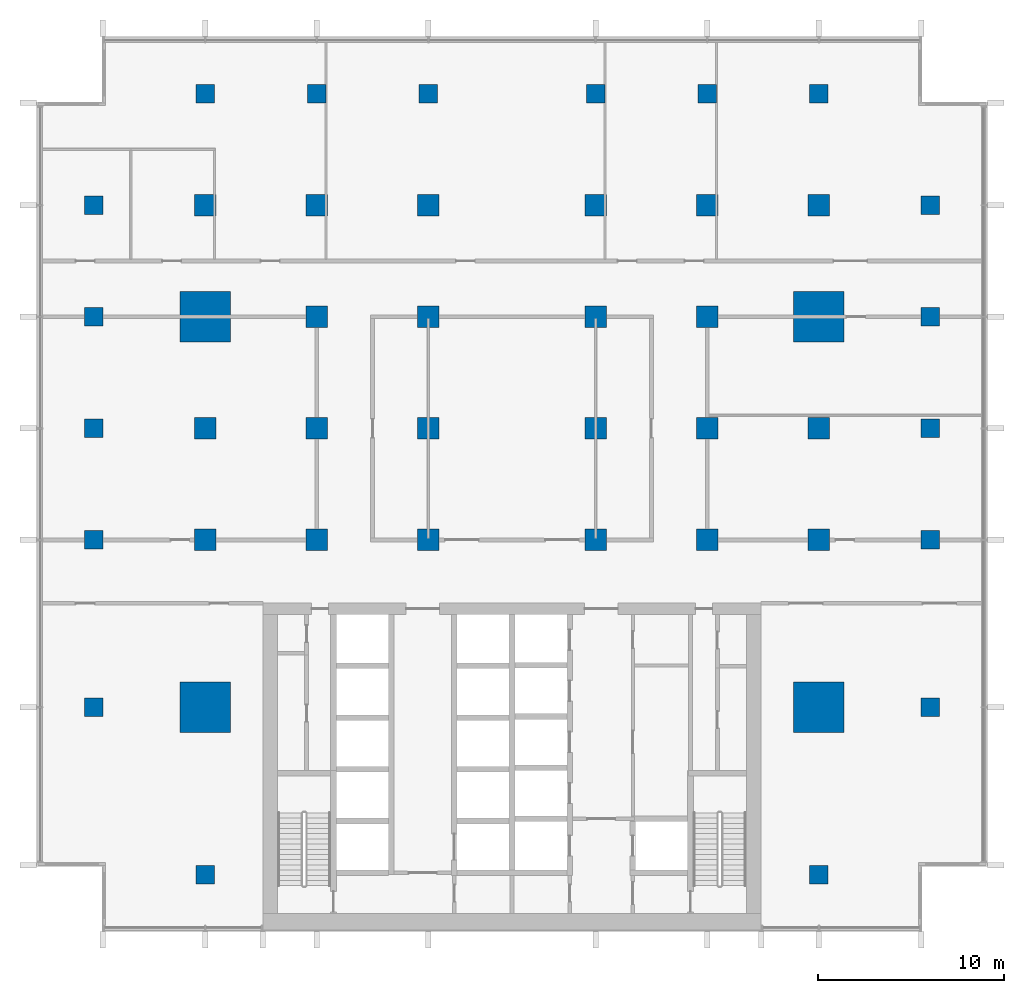
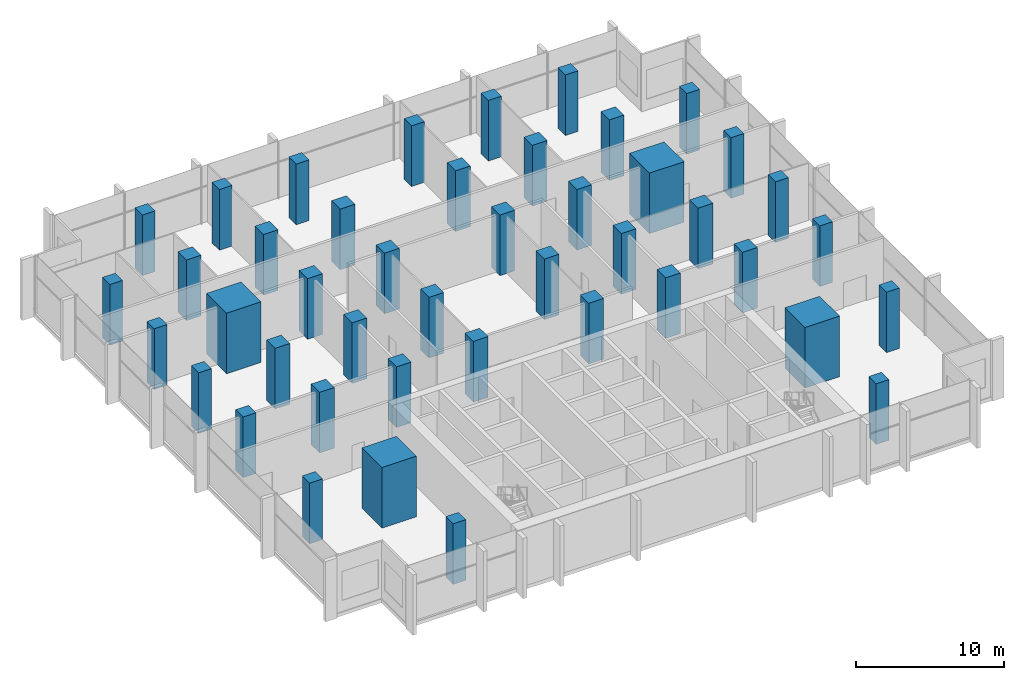
# One storey, part 1 of 14: 44 columns.
"""IFC4 building model written with IfcOpenShell, lengths in metres."""

from ifc_helpers import new_model, si_unit, direction, frame, origin, origin_2d, place, context, subcontext, project, spatial, rectangle, extrude, material, material_profile, profile_set, type_object, element, save


model = new_model("IFC4")

# Units and contexts
model_context = context("Model", 3, precision=1e-05, world=origin(), true_north=direction((0.0, 1.0)))
body_context = subcontext(model_context, "Body", "Model", "MODEL_VIEW")
ifc_project = project(units=[si_unit("LENGTHUNIT", "METRE"), si_unit("AREAUNIT", "SQUARE_METRE"), si_unit("VOLUMEUNIT", "CUBIC_METRE"), si_unit("PLANEANGLEUNIT", "RADIAN"), si_unit("MASSUNIT", "GRAM", prefix="KILO")], contexts=[model_context])

# Site, building, storey
site_placement = place(None, origin())
site = spatial("IfcSite", under=ifc_project, at=site_placement, CompositionType="ELEMENT")
building_placement = place(site_placement, origin())
building = spatial("IfcBuilding", under=site, at=building_placement, Name="Finial Court Residences", CompositionType="ELEMENT")
storey_placement = place(building_placement, frame((0.0, 0.0, 133.89990234375)))
storey = spatial("IfcBuildingStorey", under=building, at=storey_placement, Name="L33", CompositionType="ELEMENT", Elevation=133.89990234375)

# Columns
ifc_material = material(Name="Concrete C70/85", Category="concrete")
ifc_material_profile_1 = material_profile(ifc_material, rectangle(XDim=1.14990234375, YDim=1.14990234375, at=origin_2d()), Name="1150x1150")
ifc_profile_set_1 = profile_set([ifc_material_profile_1], Name="Concrete C70/85")
column_type_1 = type_object("IfcColumnType", Name="Interior column 1150x1150 Concrete C70/85", PredefinedType="COLUMN", material=ifc_profile_set_1)
for number, where, z_axis, x_axis, name in (
    (1, (-16.5, -4.5, 0.0), (0.0, 0.0, 1.0), (1.0, 0.0, 0.0), "S:COL:L33:C4"),
    (2, (-16.5, 1.5, 0.0), (0.0, 0.0, 1.0), (1.0, 0.0, 0.0), "S:COL:L33:C5"),
    (3, (-16.5, 13.5, 0.0), (0.0, 0.0, 1.0), (1.0, 0.0, 0.0), "S:COL:L33:C7"),
    (4, (-10.5, -4.5, 0.0), (0.0, 0.0, 1.0), (1.0, 0.0, 0.0), "S:COL:L33:D4"),
    (5, (-10.5, 1.5, 0.0), (0.0, 0.0, 1.0), (1.0, 0.0, 0.0), "S:COL:L33:D5"),
    (6, (-10.5, 7.5, 0.0), (0.0, 0.0, 1.0), (1.0, 0.0, 0.0), "S:COL:L33:D6"),
    (7, (-10.5, 13.5, 0.0), (0.0, 0.0, 1.0), (1.0, 0.0, 0.0), "S:COL:L33:D7"),
    (8, (-4.5, -4.5, 0.0), (0.0, 0.0, 1.0), (1.0, 0.0, 0.0), "S:COL:L33:E4"),
    (9, (-4.5, 1.5, 0.0), (0.0, 0.0, 1.0), (1.0, 0.0, 0.0), "S:COL:L33:E5"),
    (10, (-4.5, 7.5, 0.0), (0.0, 0.0, 1.0), (1.0, 0.0, 0.0), "S:COL:L33:E6"),
    (11, (-4.5, 13.5, 0.0), (0.0, 0.0, 1.0), (1.0, 0.0, 0.0), "S:COL:L33:E7"),
    (12, (4.5, -4.5, 0.0), (0.0, 0.0, 1.0), (1.0, 0.0, 0.0), "S:COL:L33:F4"),
    (13, (4.5, 1.5, 0.0), (0.0, 0.0, 1.0), (1.0, 0.0, 0.0), "S:COL:L33:F5"),
    (14, (4.5, 7.5, 0.0), (0.0, 0.0, 1.0), (1.0, 0.0, 0.0), "S:COL:L33:F6"),
    (15, (4.5, 13.5, 0.0), (0.0, 0.0, 1.0), (1.0, 0.0, 0.0), "S:COL:L33:F7"),
    (16, (10.5, -4.5, 0.0), (0.0, 0.0, 1.0), (1.0, 0.0, 0.0), "S:COL:L33:G4"),
    (17, (10.5, 1.5, 0.0), (0.0, 0.0, 1.0), (1.0, 0.0, 0.0), "S:COL:L33:G5"),
    (18, (10.5, 7.5, 0.0), (0.0, 0.0, 1.0), (1.0, 0.0, 0.0), "S:COL:L33:G6"),
    (19, (10.5, 13.5, 0.0), (0.0, 0.0, 1.0), (1.0, 0.0, 0.0), "S:COL:L33:G7"),
    (20, (16.5, -4.5, 0.0), (0.0, 0.0, 1.0), (1.0, 0.0, 0.0), "S:COL:L33:H4"),
    (21, (16.5, 1.5, 0.0), (0.0, 0.0, 1.0), (1.0, 0.0, 0.0), "S:COL:L33:H5"),
    (22, (16.5, 13.5, 0.0), (0.0, 0.0, 1.0), (1.0, 0.0, 0.0), "S:COL:L33:H7"),
):
    element("IfcColumn", number, at=place(storey_placement, frame(where, z_axis=z_axis, x_axis=x_axis)), inside=storey, type_object=column_type_1, Name=name, PredefinedType="COLUMN", context=body_context, shape_type="SweptSolid", body=[
        extrude(rectangle(XDim=1.14990234375, YDim=1.14990234375, at=origin_2d()), origin(), (0.0, 0.0, 1.0), 5.0),
    ])
ifc_material_profile_2 = material_profile(ifc_material, rectangle(XDim=2.699951171875, YDim=2.699951171875, at=origin_2d()), Name="2700x2700")
ifc_profile_set_2 = profile_set([ifc_material_profile_2], Name="Concrete C70/85")
column_type_2 = type_object("IfcColumnType", Name="Mega column 2700x2700 Concrete C70/85", PredefinedType="COLUMN", material=ifc_profile_set_2)
for number, where, z_axis, x_axis, name in (
    (23, (-16.5, -13.5, 0.0), (0.0, 0.0, 1.0), (1.0, 0.0, 0.0), "S:COL:L33:C3"),
    (24, (-16.5, 7.5, 0.0), (0.0, 0.0, 1.0), (1.0, 0.0, 0.0), "S:COL:L33:C6"),
    (25, (16.5, -13.5, 0.0), (0.0, 0.0, 1.0), (1.0, 0.0, 0.0), "S:COL:L33:H3"),
    (26, (16.5, 7.5, 0.0), (0.0, 0.0, 1.0), (1.0, 0.0, 0.0), "S:COL:L33:H6"),
):
    element("IfcColumn", number, at=place(storey_placement, frame(where, z_axis=z_axis, x_axis=x_axis)), inside=storey, type_object=column_type_2, Name=name, PredefinedType="COLUMN", context=body_context, shape_type="SweptSolid", body=[
        extrude(rectangle(XDim=2.699951171875, YDim=2.699951171875, at=origin_2d()), origin(), (0.0, 0.0, 1.0), 5.0),
    ])
ifc_material_profile_3 = material_profile(ifc_material, rectangle(XDim=1.0, YDim=1.0, at=origin_2d()), Name="1000x1000")
ifc_profile_set_3 = profile_set([ifc_material_profile_3], Name="Concrete C70/85")
column_type_3 = type_object("IfcColumnType", Name="Perimeter column 1000x1000 Concrete C70/85", PredefinedType="COLUMN", material=ifc_profile_set_3)
for number, where, z_axis, x_axis, name in (
    (27, (-22.5, -13.5, 0.0), (0.0, 0.0, 1.0), (1.0, 0.0, 0.0), "S:COL:L33:B3"),
    (28, (-22.5, -4.5, 0.0), (0.0, 0.0, 1.0), (1.0, 0.0, 0.0), "S:COL:L33:B4"),
    (29, (-22.5, 1.5, 0.0), (0.0, 0.0, 1.0), (1.0, 0.0, 0.0), "S:COL:L33:B5"),
    (30, (-22.5, 7.5, 0.0), (0.0, 0.0, 1.0), (1.0, 0.0, 0.0), "S:COL:L33:B6"),
    (31, (-22.5, 13.5, 0.0), (0.0, 0.0, 1.0), (1.0, 0.0, 0.0), "S:COL:L33:B7"),
    (32, (-16.5, -22.5, 0.0), (0.0, 0.0, 1.0), (1.0, 0.0, 0.0), "S:COL:L33:C2"),
    (33, (-16.5, 19.5, 0.0), (0.0, 0.0, 1.0), (1.0, 0.0, 0.0), "S:COL:L33:C8"),
    (34, (-10.5, 19.5, 0.0), (0.0, 0.0, 1.0), (1.0, 0.0, 0.0), "S:COL:L33:D8"),
    (35, (-4.5, 19.5, 0.0), (0.0, 0.0, 1.0), (1.0, 0.0, 0.0), "S:COL:L33:E8"),
    (36, (4.5, 19.5, 0.0), (0.0, 0.0, 1.0), (1.0, 0.0, 0.0), "S:COL:L33:F8"),
    (37, (10.5, 19.5, 0.0), (0.0, 0.0, 1.0), (1.0, 0.0, 0.0), "S:COL:L33:G8"),
    (38, (16.5, -22.5, 0.0), (0.0, 0.0, 1.0), (1.0, 0.0, 0.0), "S:COL:L33:H2"),
    (39, (16.5, 19.5, 0.0), (0.0, 0.0, 1.0), (1.0, 0.0, 0.0), "S:COL:L33:H8"),
    (40, (22.5, -13.5, 0.0), (0.0, 0.0, 1.0), (1.0, 0.0, 0.0), "S:COL:L33:I3"),
    (41, (22.5, -4.5, 0.0), (0.0, 0.0, 1.0), (1.0, 0.0, 0.0), "S:COL:L33:I4"),
    (42, (22.5, 1.5, 0.0), (0.0, 0.0, 1.0), (1.0, 0.0, 0.0), "S:COL:L33:I5"),
    (43, (22.5, 7.5, 0.0), (0.0, 0.0, 1.0), (1.0, 0.0, 0.0), "S:COL:L33:I6"),
    (44, (22.5, 13.5, 0.0), (0.0, 0.0, 1.0), (1.0, 0.0, 0.0), "S:COL:L33:I7"),
):
    element("IfcColumn", number, at=place(storey_placement, frame(where, z_axis=z_axis, x_axis=x_axis)), inside=storey, type_object=column_type_3, Name=name, PredefinedType="COLUMN", context=body_context, shape_type="SweptSolid", body=[
        extrude(rectangle(XDim=1.0, YDim=1.0, at=origin_2d()), origin(), (0.0, 0.0, 1.0), 5.0),
    ])

save(model, "model.ifc")
